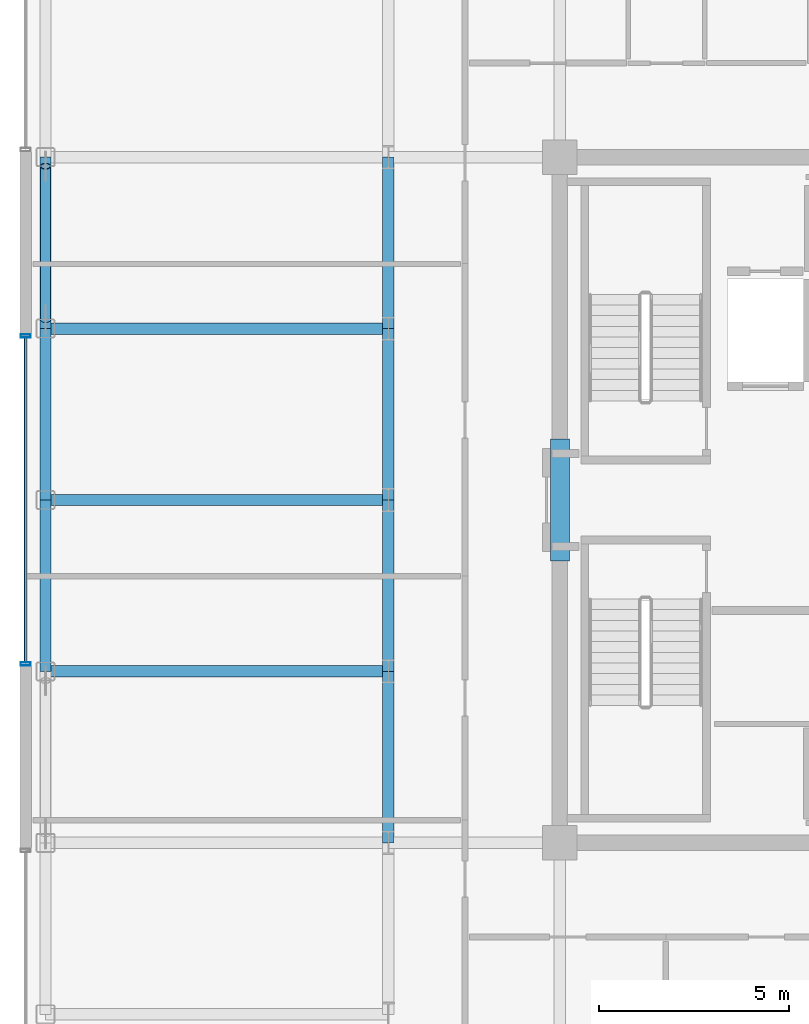
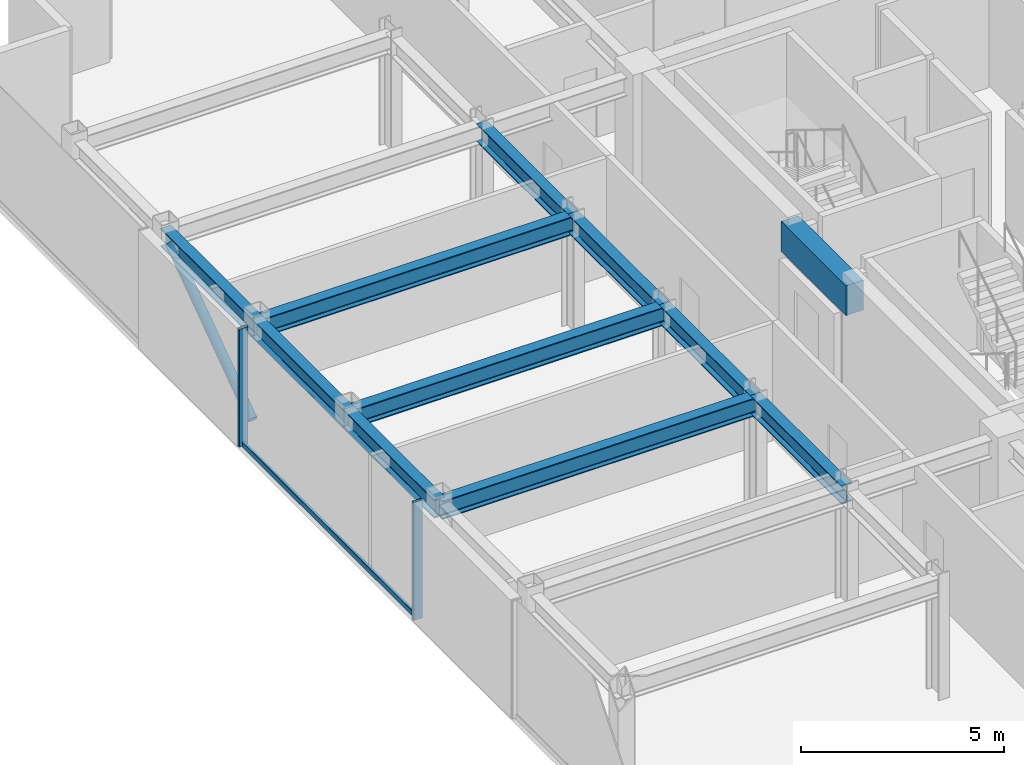
# One storey, part 4 of 16: 11 beams, 4 members, 1 element without a shape of its own.
"""IFC4 building model written with IfcOpenShell, lengths in metres."""

from ifc_helpers import new_model, si_unit, direction, frame, origin, origin_2d, place, context, subcontext, project, spatial, rectangle, hollow_rectangle, hollow_circle, i_section, extrude, source, transform, mapped, material, layer, layer_set, material_profile, profile_set, type_object, element, aggregate, save


model = new_model("IFC4")

# Units and contexts
model_context = context("Model", 3, precision=1e-05, world=origin(), true_north=direction((0.0, 1.0)))
body_context = subcontext(model_context, "Body", "Model", "MODEL_VIEW")
ifc_project = project(units=[si_unit("LENGTHUNIT", "METRE"), si_unit("AREAUNIT", "SQUARE_METRE"), si_unit("VOLUMEUNIT", "CUBIC_METRE"), si_unit("PLANEANGLEUNIT", "RADIAN"), si_unit("MASSUNIT", "GRAM", prefix="KILO")], contexts=[model_context])

# Site, building, storey
site_placement = place(None, origin())
site = spatial("IfcSite", under=ifc_project, at=site_placement, CompositionType="ELEMENT")
building_placement = place(site_placement, origin())
building = spatial("IfcBuilding", under=site, at=building_placement, Name="Nefas-Gora Pilgrimage Tower", CompositionType="ELEMENT")
storey_placement = place(building_placement, frame((0.0, 0.0, 322.39990234375)))
storey = spatial("IfcBuildingStorey", under=building, at=storey_placement, Name="L81", CompositionType="ELEMENT", Elevation=322.39990234375)

# Beam
ifc_material_1 = material(Name="Concrete C50/60", Category="concrete")
ifc_material_profile_1 = material_profile(ifc_material_1, rectangle(XDim=0.5, YDim=0.89990234375, at=origin_2d()), Name="RC 500x900")
ifc_profile_set_1 = profile_set([ifc_material_profile_1], Name="Concrete C50/60")
beam_type_1 = type_object("IfcBeamType", Name="BM-LIN-RC900", PredefinedType="LINTEL", material=ifc_profile_set_1)
shared_shape_1 = source(origin(), body_context, "Body", "SweptSolid", [
    extrude(rectangle(XDim=0.5, YDim=0.89990234375, at=origin_2d()), origin(), (0.0, 0.0, 1.0), 3.2001953125),
])
beam_placement = place(storey_placement, frame((-11.25, -1.60009765625, 3.10009765625), z_axis=(0.0, 1.0, 0.0), x_axis=(-1.0, 0.0, 0.0)))
element("IfcBeam", 1, at=beam_placement, inside=storey, type_object=beam_type_1, Name="L81 Core Coupling Lintel Beam W", PredefinedType="LINTEL", context=body_context, shape_type="MappedRepresentation", body=[
    mapped(shared_shape_1, transform((0.0, 0.0, 0.0), x_axis=(1.0, 0.0, 0.0), y_axis=(0.0, 1.0, 0.0), z_axis=(0.0, 0.0, 1.0), scale=1.0)),
])

# Member
ifc_material_2 = material(Name="Steel S355", Category="steel")
ifc_material_profile_2 = material_profile(ifc_material_2, hollow_circle(Radius=0.136474609375, WallThickness=0.01611328125, at=origin_2d()), Name="CHS 273x16")
ifc_profile_set_2 = profile_set([ifc_material_profile_2], Name="Steel S355")
member_type_1 = type_object("IfcMemberType", Name="MEM-TUBE-273", PredefinedType="BRACE", material=ifc_profile_set_2)
shared_shape_2 = source(origin(), body_context, "Body", "SweptSolid", [
    extrude(hollow_circle(Radius=0.136474609375, WallThickness=0.01611328125, at=origin_2d()), origin(), (0.0, 0.0, 1.0), 4.947998046875),
])
member_1_placement = place(storey_placement, frame((-24.75, 4.738037109375, 0.3203125), z_axis=(0.0, 0.813239767156, 0.581928759485), x_axis=(-1.0, 0.0, 0.0)))
element("IfcMember", 2, at=member_1_placement, inside=storey, type_object=member_type_1, Name="L81 Perimeter Tube Diagonal Brace W2", PredefinedType="BRACE", context=body_context, shape_type="MappedRepresentation", body=[
    mapped(shared_shape_2, transform((0.0, 0.0, 0.0), x_axis=(1.0, 0.0, 0.0), y_axis=(0.0, 1.0, 0.0), z_axis=(0.0, 0.0, 1.0), scale=1.0)),
])

# Beams
ifc_material_profile_3 = material_profile(ifc_material_2, i_section(OverallWidth=0.300048828125, OverallDepth=0.550048828125, WebThickness=0.014892578125, FlangeThickness=0.029052734375, FilletRadius=0.027099609375, at=origin_2d()), Name="HEB 550")
ifc_profile_set_3 = profile_set([ifc_material_profile_3], Name="Steel S355")
beam_type_2 = type_object("IfcBeamType", Name="BM-SPN-HEB400", PredefinedType="SPANDREL", material=ifc_profile_set_3)
shared_shape_3 = source(origin(), body_context, "Body", "SweptSolid", [
    extrude(i_section(OverallWidth=0.300048828125, OverallDepth=0.550048828125, WebThickness=0.014892578125, FlangeThickness=0.029052734375, FilletRadius=0.027099609375, at=origin_2d()), origin(), (0.0, 0.0, 1.0), 4.5),
])
for number, where, z_axis, x_axis, name in (
    (3, (-24.75, -4.5, 3.275146484375), (0.0, 1.0, 0.0), (-1.0, 0.0, 0.0), "L81 SP-04 beam"),
    (4, (-24.75, 0.0, 3.275146484375), (0.0, 1.0, 0.0), (-1.0, 0.0, 0.0), "L81 SP-04 beam"),
    (5, (-24.75, 4.5, 3.275146484375), (0.0, 1.0, 0.0), (-1.0, 0.0, 0.0), "L81 SP-04 beam"),
):
    element("IfcBeam", number, at=place(storey_placement, frame(where, z_axis=z_axis, x_axis=x_axis)), inside=storey, type_object=beam_type_2, Name=name, PredefinedType="SPANDREL", context=body_context, shape_type="MappedRepresentation", body=[
        mapped(shared_shape_3, transform((0.0, 0.0, 0.0), x_axis=(1.0, 0.0, 0.0), y_axis=(0.0, 1.0, 0.0), z_axis=(0.0, 0.0, 1.0), scale=1.0)),
    ])
ifc_material_profile_4 = material_profile(ifc_material_2, i_section(OverallWidth=0.300048828125, OverallDepth=0.550048828125, WebThickness=0.014892578125, FlangeThickness=0.029052734375, FilletRadius=0.027099609375, at=origin_2d()), Name="HEB 550")
ifc_profile_set_4 = profile_set([ifc_material_profile_4], Name="Steel S355")
beam_type_3 = type_object("IfcBeamType", Name="BM-GIR-HEB550", PredefinedType="BEAM", material=ifc_profile_set_4)
shared_shape_4 = source(origin(), body_context, "Body", "SweptSolid", [
    extrude(i_section(OverallWidth=0.300048828125, OverallDepth=0.550048828125, WebThickness=0.014892578125, FlangeThickness=0.029052734375, FilletRadius=0.027099609375, at=origin_2d()), origin(), (0.0, 0.0, 1.0), 9.0),
])
for number, where, z_axis, x_axis, name in (
    (6, (-24.75, -4.5, 3.275146484375), (1.0, 0.0, 0.0), (0.0, 1.0, 0.0), "L81 G-05 beam"),
    (7, (-24.75, 0.0, 3.275146484375), (1.0, 0.0, 0.0), (0.0, 1.0, 0.0), "L81 G-05 beam"),
    (8, (-24.75, 4.5, 3.275146484375), (1.0, 0.0, 0.0), (0.0, 1.0, 0.0), "L81 G-05 beam"),
):
    element("IfcBeam", number, at=place(storey_placement, frame(where, z_axis=z_axis, x_axis=x_axis)), inside=storey, type_object=beam_type_3, Name=name, PredefinedType="BEAM", context=body_context, shape_type="MappedRepresentation", body=[
        mapped(shared_shape_4, transform((0.0, 0.0, 0.0), x_axis=(1.0, 0.0, 0.0), y_axis=(0.0, 1.0, 0.0), z_axis=(0.0, 0.0, 1.0), scale=1.0)),
    ])
shared_shape_5 = source(origin(), body_context, "Body", "SweptSolid", [
    extrude(i_section(OverallWidth=0.300048828125, OverallDepth=0.550048828125, WebThickness=0.014892578125, FlangeThickness=0.029052734375, FilletRadius=0.027099609375, at=origin_2d()), origin(), (0.0, 0.0, 1.0), 4.5),
])
for number, where, z_axis, x_axis, name in (
    (9, (-15.75, -9.0, 3.275146484375), (0.0, 1.0, 0.0), (-1.0, 0.0, 0.0), "L81 G-05 beam"),
    (10, (-15.75, -4.5, 3.275146484375), (0.0, 1.0, 0.0), (-1.0, 0.0, 0.0), "L81 G-05 beam"),
    (11, (-15.75, 0.0, 3.275146484375), (0.0, 1.0, 0.0), (-1.0, 0.0, 0.0), "L81 G-05 beam"),
    (12, (-15.75, 4.5, 3.275146484375), (0.0, 1.0, 0.0), (-1.0, 0.0, 0.0), "L81 G-05 beam"),
):
    element("IfcBeam", number, at=place(storey_placement, frame(where, z_axis=z_axis, x_axis=x_axis)), inside=storey, type_object=beam_type_3, Name=name, PredefinedType="BEAM", context=body_context, shape_type="MappedRepresentation", body=[
        mapped(shared_shape_5, transform((0.0, 0.0, 0.0), x_axis=(1.0, 0.0, 0.0), y_axis=(0.0, 1.0, 0.0), z_axis=(0.0, 0.0, 1.0), scale=1.0)),
    ])

# Curtain wall, members
ifc_material_3 = material(Name="Dark ceramic-fritted solar-control aluminium-glass curtain wall", Category="aluminium")
ifc_layer = layer(ifc_material_3, 0.219970703125)
ifc_layer_set = layer_set([ifc_layer], Name="Dark ceramic-fritted solar-control aluminium-glass curtain wall")
curtain_wall_type = type_object("IfcCurtainWallType", Name="CW-SYS-4", PredefinedType="NOTDEFINED", material=ifc_layer_set)
curtain_wall_placement = place(storey_placement, origin())
curtain_wall = element("IfcCurtainWall", 13, at=curtain_wall_placement, inside=storey, type_object=curtain_wall_type, Name="L81 Unitised Curtain Wall CW4", PredefinedType="NOTDEFINED")
ifc_material_4 = material(Name="Anodised architectural aluminium", Category="aluminium")
ifc_material_profile_5 = material_profile(ifc_material_4, hollow_rectangle(XDim=0.080078125, YDim=0.159912109375, WallThickness=0.00439453125, InnerFilletRadius=0.00439453125, OuterFilletRadius=0.009033203125, at=origin_2d()), Name="ALU TRANSOM 80x160")
ifc_profile_set_5 = profile_set([ifc_material_profile_5], Name="Anodised architectural aluminium")
member_type_2 = type_object("IfcMemberType", Name="CWM-TRN-4", PredefinedType="USERDEFINED", material=ifc_profile_set_5)
shared_shape_6 = source(origin(), body_context, "Body", "SweptSolid", [
    extrude(hollow_rectangle(XDim=0.080078125, YDim=0.159912109375, WallThickness=0.00439453125, InnerFilletRadius=0.00439453125, OuterFilletRadius=0.009033203125, at=origin_2d()), origin(), (0.0, 0.0, 1.0), 8.52001953125),
])
member_2_placement = place(storey_placement, frame((-25.27001953125, 4.260009765625, 0.050048828125), z_axis=(0.0, -1.0, 0.0), x_axis=(1.0, 0.0, 0.0)))
member_2 = element("IfcMember", 14, at=member_2_placement, type_object=member_type_2, Name="CW4 Spandrel Transom", ObjectType="TRANSOM", PredefinedType="USERDEFINED", context=body_context, shape_type="MappedRepresentation", body=[
    mapped(shared_shape_6, transform((0.0, 0.0, 0.0), x_axis=(1.0, 0.0, 0.0), y_axis=(0.0, 1.0, 0.0), z_axis=(0.0, 0.0, 1.0), scale=1.0)),
])
ifc_material_profile_6 = material_profile(ifc_material_4, hollow_rectangle(XDim=0.090087890625, YDim=0.260009765625, WallThickness=0.006103515625, InnerFilletRadius=0.006103515625, OuterFilletRadius=0.011962890625, at=origin_2d()), Name="ALU MULLION 90x260")
ifc_profile_set_6 = profile_set([ifc_material_profile_6], Name="Anodised architectural aluminium")
member_type_3 = type_object("IfcMemberType", Name="CWM-MUL-4", PredefinedType="MULLION", material=ifc_profile_set_6)
shared_shape_7 = source(origin(), body_context, "Body", "SweptSolid", [
    extrude(hollow_rectangle(XDim=0.090087890625, YDim=0.260009765625, WallThickness=0.006103515625, InnerFilletRadius=0.006103515625, OuterFilletRadius=0.011962890625, at=origin_2d()), origin(), (0.0, 0.0, 1.0), 3.550048828125),
])
member_3_placement = place(storey_placement, frame((-25.27001953125, 4.304931640625, 0.0), z_axis=(0.0, 0.0, 1.0), x_axis=(0.0, -1.0, 0.0)))
member_3 = element("IfcMember", 15, at=member_3_placement, type_object=member_type_3, Name="CW4 Mullion 1", PredefinedType="MULLION", context=body_context, shape_type="MappedRepresentation", body=[
    mapped(shared_shape_7, transform((0.0, 0.0, 0.0), x_axis=(1.0, 0.0, 0.0), y_axis=(0.0, 1.0, 0.0), z_axis=(0.0, 0.0, 1.0), scale=1.0)),
])
member_4_placement = place(storey_placement, frame((-25.27001953125, -4.304931640625, 0.0), z_axis=(0.0, 0.0, 1.0), x_axis=(0.0, -1.0, 0.0)))
member_4 = element("IfcMember", 16, at=member_4_placement, type_object=member_type_3, Name="CW4 Mullion 2", PredefinedType="MULLION", context=body_context, shape_type="MappedRepresentation", body=[
    mapped(shared_shape_7, transform((0.0, 0.0, 0.0), x_axis=(1.0, 0.0, 0.0), y_axis=(0.0, 1.0, 0.0), z_axis=(0.0, 0.0, 1.0), scale=1.0)),
])
aggregate(curtain_wall, [member_3, member_4, member_2])

save(model, "model.ifc")
